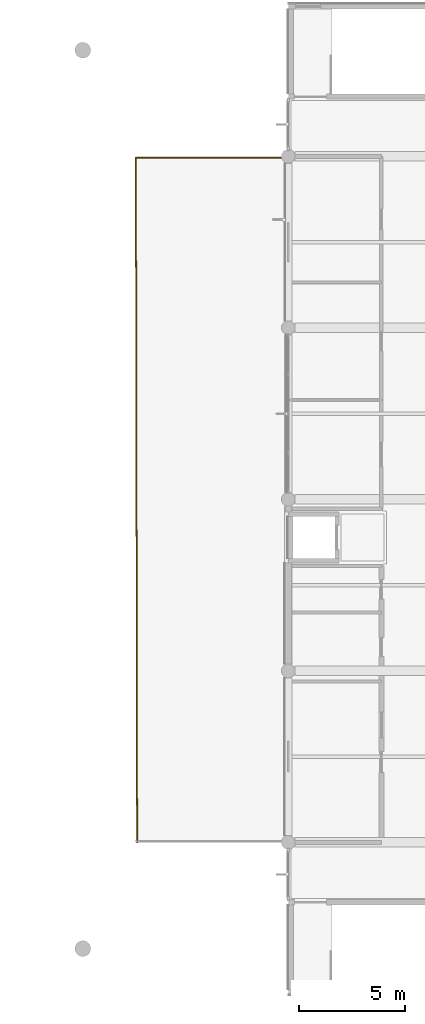
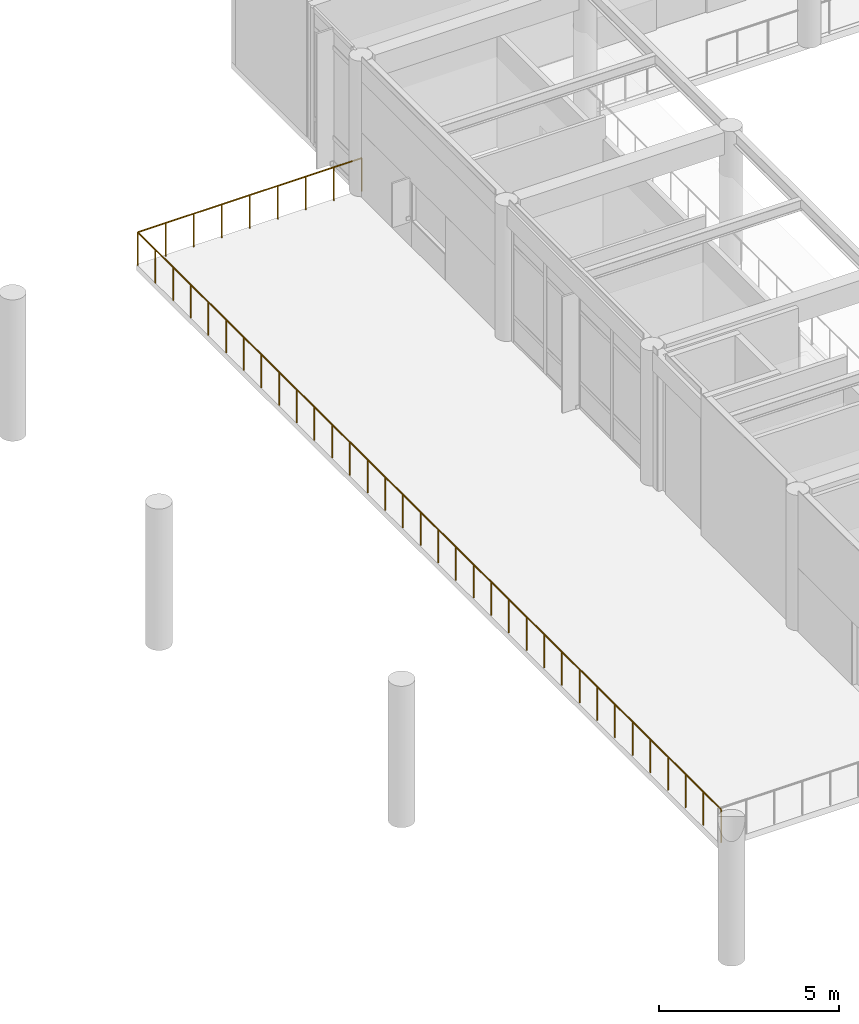
# One storey, part 68 of 92: 1 railing.
"""IFC4 building model written with IfcOpenShell, lengths in metres."""

import ifcopenshell
import ifcopenshell.guid

model = None  # the IFC model being written
_history = None  # IfcOwnerHistory: only IFC2X3 demands one
_inside = {}  # id of a spatial element -> (the spatial element, [elements in it])
_under = {}  # id of a project, library or spatial element -> (it, [spatial elements below it])
_declared = {}  # id of a project -> (the project, [libraries it declares])
_typed = {}  # id of a type object -> (the type object, [elements of that type])
_made_of = {}  # id of a material, layer set ... -> (it, [elements and type objects made of it])


def new_model(schema):
    """Start an empty IFC model of exactly this schema.

    Asked for "IFC4X3", IfcOpenShell would pick the latest addendum, in which some entities
    have other attributes; the version numbers below select the first issue.
    IFC2X3 requires an IfcOwnerHistory on every rooted entity: one is made here for all.
    """
    global model, _history
    if schema == "IFC4X3":
        model = ifcopenshell.file(schema_version=(4, 3, 0, 0))
    else:
        model = ifcopenshell.file(schema=schema)
    _inside.clear()
    _under.clear()
    _declared.clear()
    _typed.clear()
    _made_of.clear()
    _history = None
    if model.schema == "IFC2X3":
        org = make("IfcOrganization", Name="unknown")
        user = make(
            "IfcPersonAndOrganization",
            ThePerson=make("IfcPerson", FamilyName="unknown"),
            TheOrganization=org,
        )
        app = make(
            "IfcApplication",
            ApplicationDeveloper=org,
            Version="unknown",
            ApplicationFullName="unknown",
            ApplicationIdentifier="unknown",
        )
        _history = make(
            "IfcOwnerHistory",
            OwningUser=user,
            OwningApplication=app,
            ChangeAction="ADDED",
            CreationDate=0,
        )
    return model


def make(cls, **values):
    """One entity of the class cls with the attributes given. An attribute that is None is left unset."""
    return model.create_entity(
        cls, **{name: value for name, value in values.items() if value is not None}
    )


def rooted(cls, **values):
    """An entity with a GlobalId (a new one), such as an element, a storey or a relation."""
    return make(cls, GlobalId=ifcopenshell.guid.new(), OwnerHistory=_history, **values)


def si_unit(unit_type, name, prefix=None):
    """IfcSIUnit, for example si_unit("LENGTHUNIT", "METRE", prefix="MILLI")."""
    return make("IfcSIUnit", UnitType=unit_type, Prefix=prefix, Name=name)


def assignment(units):
    """IfcUnitAssignment: the units of a project."""
    return None if units is None else make("IfcUnitAssignment", Units=units)


def point(xyz):
    """IfcCartesianPoint."""
    return None if xyz is None else make("IfcCartesianPoint", Coordinates=xyz)


def direction(xyz):
    """IfcDirection."""
    return None if xyz is None else make("IfcDirection", DirectionRatios=xyz)


def frame(location, z_axis=None, x_axis=None):
    """IfcAxis2Placement3D, a coordinate frame: its origin and axes. An axis left out is left unset."""
    return make(
        "IfcAxis2Placement3D",
        Location=point(location),
        Axis=direction(z_axis),
        RefDirection=direction(x_axis),
    )


def frame_2d(location, x_axis=None):
    """IfcAxis2Placement2D, a coordinate frame in the plane: its origin and x axis."""
    return make(
        "IfcAxis2Placement2D", Location=point(location), RefDirection=direction(x_axis)
    )


def origin():
    """The frame at (0, 0, 0) with its axes left unset."""
    return frame((0.0, 0.0, 0.0))


def origin_2d():
    """The frame at (0, 0) in the plane with its x axis left unset."""
    return frame_2d((0.0, 0.0))


def place(relative_to, where):
    """IfcLocalPlacement: puts the frame where relative to a parent placement (None: the world)."""
    return make(
        "IfcLocalPlacement", PlacementRelTo=relative_to, RelativePlacement=where
    )


def context(
    kind, dimensions, precision=None, world=None, true_north=None, identifier=None
):
    """IfcGeometricRepresentationContext, for example the 3D "Model" context."""
    return make(
        "IfcGeometricRepresentationContext",
        ContextIdentifier=identifier,
        ContextType=kind,
        CoordinateSpaceDimension=dimensions,
        Precision=precision,
        WorldCoordinateSystem=world,
        TrueNorth=true_north,
    )


def subcontext(parent, identifier, kind, view, scale=None):
    """IfcGeometricRepresentationSubContext, for example "Body" below "Model"."""
    return make(
        "IfcGeometricRepresentationSubContext",
        ContextIdentifier=identifier,
        ContextType=kind,
        ParentContext=parent,
        TargetScale=scale,
        TargetView=view,
    )


def project(units=None, contexts=None):
    """IfcProject with its units and contexts."""
    return rooted(
        "IfcProject",
        Name="project",
        RepresentationContexts=contexts,
        UnitsInContext=assignment(units),
    )


def spatial(cls, under=None, at=None, **own):
    """A site, building, storey or space (cls), placed at a placement, below another one or the project."""
    s = rooted(cls, ObjectPlacement=at, **own)
    if under is not None:
        _under.setdefault(under.id(), (under, []))[1].append(s)
    return s


def profile(cls, at=None, kind="AREA", **sizes):
    """A parametric profile (cls). Its sizes go by their IFC names, for example OverallWidth=200.0."""
    return make(cls, ProfileType=kind, Position=at, **sizes)


def circle(**sizes):
    """IfcCircleProfileDef."""
    return profile("IfcCircleProfileDef", **sizes)


def extrude(swept, where, along, depth):
    """IfcExtrudedAreaSolid: the profile swept, set in the frame where, extruded along a direction by depth."""
    return make(
        "IfcExtrudedAreaSolid",
        SweptArea=swept,
        Position=where,
        ExtrudedDirection=direction(along),
        Depth=depth,
    )


def shape(context_of_items, identifier, shape_type, items):
    """IfcShapeRepresentation: the items that make up one representation, for example the "Body"."""
    return make(
        "IfcShapeRepresentation",
        ContextOfItems=context_of_items,
        RepresentationIdentifier=identifier,
        RepresentationType=shape_type,
        Items=items,
    )


def material(Name=None, Category=None):
    """IfcMaterial."""
    return make("IfcMaterial", Name=Name, Category=Category)


def made_of(thing, what):
    """Note that an element or type object is made of a material, layer set ...; save() writes the relation."""
    if what is not None:
        _made_of.setdefault(what.id(), (what, []))[1].append(thing)
    return thing


def type_object(cls, material=None, **own):
    """A type object (cls), such as IfcWallType, which elements share."""
    return made_of(rooted(cls, **own), material)


def element(
    cls,
    number,
    at=None,
    inside=None,
    cuts=None,
    type_object=None,
    material=None,
    context=None,
    identifier="Body",
    shape_type=None,
    held_by="IfcProductDefinitionShape",
    body=None,
    shapes=None,
    **own,
):
    """One element of the class cls, such as IfcWall. Its Tag is "e" and its number.

    at: its placement. inside: the storey or other place that contains it. cuts: it is an
    opening in that element (IfcRelVoidsElement). A single representation is given by context,
    identifier, shape_type and body (its items); several are given by shapes. held_by: the class
    of the entity that holds the representations. save() writes the other relations.
    """
    e = rooted(cls, Tag="e%d" % number, ObjectPlacement=at, **own)
    if body is not None:
        shapes = [shape(context, identifier, shape_type, body)]
    if shapes is not None:
        e.Representation = make(held_by, Representations=shapes)
    if inside is not None:
        _inside.setdefault(inside.id(), (inside, []))[1].append(e)
    if cuts is not None:
        rooted(
            "IfcRelVoidsElement", RelatingBuildingElement=cuts, RelatedOpeningElement=e
        )
    if type_object is not None:
        _typed.setdefault(type_object.id(), (type_object, []))[1].append(e)
    return made_of(e, material)


def aggregate(whole, parts):
    """IfcRelAggregates: a whole, such as a stair, and the parts it consists of."""
    return rooted("IfcRelAggregates", RelatingObject=whole, RelatedObjects=parts)


def save(model, path):
    """Write the relations noted so far, then the file.

    IfcRelAggregates (storeys below a building ...), IfcRelContainedInSpatialStructure (elements
    in a storey), IfcRelDefinesByType, IfcRelAssociatesMaterial and IfcRelDeclares: one each for
    every whole, place, type object, material and project.
    """
    for whole, parts in _under.values():
        aggregate(whole, parts)
    for where, things in _inside.values():
        rooted(
            "IfcRelContainedInSpatialStructure",
            RelatedElements=things,
            RelatingStructure=where,
        )
    for kind, things in _typed.values():
        rooted("IfcRelDefinesByType", RelatedObjects=things, RelatingType=kind)
    for what, things in _made_of.values():
        rooted("IfcRelAssociatesMaterial", RelatedObjects=things, RelatingMaterial=what)
    for by, libraries in _declared.values():
        rooted("IfcRelDeclares", RelatingContext=by, RelatedDefinitions=libraries)
    model.write(path)


model = new_model("IFC4")

# Units and contexts
model_context = context("Model", 3, precision=1e-05, world=origin(), true_north=direction((0.0, 1.0)))
body_context = subcontext(model_context, "Body", "Model", "MODEL_VIEW")
ifc_project = project(units=[si_unit("LENGTHUNIT", "METRE"), si_unit("AREAUNIT", "SQUARE_METRE"), si_unit("VOLUMEUNIT", "CUBIC_METRE"), si_unit("PLANEANGLEUNIT", "RADIAN"), si_unit("MASSUNIT", "GRAM", prefix="KILO")], contexts=[model_context])

# Site, building, storey
site_placement = place(None, origin())
site = spatial("IfcSite", under=ifc_project, at=site_placement, CompositionType="ELEMENT")
building_placement = place(site_placement, origin())
building = spatial("IfcBuilding", under=site, at=building_placement, Name="Namkhue Oval Health Centre", CompositionType="ELEMENT")
storey_placement = place(building_placement, frame((0.0, 0.0, 4.800048828125)))
storey = spatial("IfcBuildingStorey", under=building, at=storey_placement, Name="L01", CompositionType="ELEMENT", Elevation=4.800048828125)

# Railing
ifc_material = material(Name="Brushed stainless steel 316L balustrade with laminated glass infill", Category="steel")
railing_type = type_object("IfcRailingType", Name="EXTERIOR BALUSTRADE GUARD 1150", PredefinedType="BALUSTRADE", material=ifc_material)
railing_placement = place(storey_placement, frame((21.60009765625, 75.5400390625, 0.0)))
element("IfcRailing", 1, at=railing_placement, inside=storey, type_object=railing_type, Name="Volume V1 L01 Terrace Balustrade Guard 2", PredefinedType="BALUSTRADE", context=body_context, shape_type="SweptSolid", body=[
    extrude(circle(Radius=0.02392578125, at=origin_2d()), frame((0.0, 0.0, 1.1259765625), z_axis=(-1.0, 0.0, 0.0), x_axis=(0.0, -1.0, 0.0)), (0.0, 0.0, 1.0), 7.2001953125),
    extrude(circle(Radius=0.02392578125, at=origin_2d()), frame((-7.2001953125, 0.0, 1.1259765625), z_axis=(0.001857091124, -0.999998275605, 0.0), x_axis=(0.999998275605, 0.001857091124, 0.0)), (0.0, 0.0, 1.0), 32.340087890625),
    extrude(circle(Radius=0.02099609375, at=origin_2d()), origin(), (0.0, 0.0, 1.0), 1.101806640625),
    extrude(circle(Radius=0.02099609375, at=origin_2d()), frame((-0.89990234375, 0.0, 0.0)), (0.0, 0.0, 1.0), 1.101806640625),
    extrude(circle(Radius=0.02099609375, at=origin_2d()), frame((-1.800048828125, 0.0, 0.0)), (0.0, 0.0, 1.0), 1.101806640625),
    extrude(circle(Radius=0.02099609375, at=origin_2d()), frame((-2.7001953125, 0.0, 0.0)), (0.0, 0.0, 1.0), 1.101806640625),
    extrude(circle(Radius=0.02099609375, at=origin_2d()), frame((-3.60009765625, 0.0, 0.0)), (0.0, 0.0, 1.0), 1.101806640625),
    extrude(circle(Radius=0.02099609375, at=origin_2d()), frame((-4.5, 0.0, 0.0)), (0.0, 0.0, 1.0), 1.101806640625),
    extrude(circle(Radius=0.02099609375, at=origin_2d()), frame((-5.400146484375, 0.0, 0.0)), (0.0, 0.0, 1.0), 1.101806640625),
    extrude(circle(Radius=0.02099609375, at=origin_2d()), frame((-6.30029296875, 0.0, 0.0)), (0.0, 0.0, 1.0), 1.101806640625),
    extrude(circle(Radius=0.02099609375, at=origin_2d()), frame((-7.2001953125, 0.0, 0.0)), (0.0, 0.0, 1.0), 1.101806640625),
    extrude(circle(Radius=0.02099609375, at=origin_2d()), frame((-7.198486328125, -0.97998046875, 0.0)), (0.0, 0.0, 1.0), 1.101806640625),
    extrude(circle(Radius=0.02099609375, at=origin_2d()), frame((-7.196533203125, -1.9599609375, 0.0)), (0.0, 0.0, 1.0), 1.101806640625),
    extrude(circle(Radius=0.02099609375, at=origin_2d()), frame((-7.19482421875, -2.93994140625, 0.0)), (0.0, 0.0, 1.0), 1.101806640625),
    extrude(circle(Radius=0.02099609375, at=origin_2d()), frame((-7.19287109375, -3.919921875, 0.0)), (0.0, 0.0, 1.0), 1.101806640625),
    extrude(circle(Radius=0.02099609375, at=origin_2d()), frame((-7.191162109375, -4.89990234375, 0.0)), (0.0, 0.0, 1.0), 1.101806640625),
    extrude(circle(Radius=0.02099609375, at=origin_2d()), frame((-7.189208984375, -5.880126953125, 0.0)), (0.0, 0.0, 1.0), 1.101806640625),
    extrude(circle(Radius=0.02099609375, at=origin_2d()), frame((-7.1875, -6.860107421875, 0.0)), (0.0, 0.0, 1.0), 1.101806640625),
    extrude(circle(Radius=0.02099609375, at=origin_2d()), frame((-7.185546875, -7.840087890625, 0.0)), (0.0, 0.0, 1.0), 1.101806640625),
    extrude(circle(Radius=0.02099609375, at=origin_2d()), frame((-7.183837890625, -8.820068359375, 0.0)), (0.0, 0.0, 1.0), 1.101806640625),
    extrude(circle(Radius=0.02099609375, at=origin_2d()), frame((-7.181884765625, -9.800048828125, 0.0)), (0.0, 0.0, 1.0), 1.101806640625),
    extrude(circle(Radius=0.02099609375, at=origin_2d()), frame((-7.18017578125, -10.780029296875, 0.0)), (0.0, 0.0, 1.0), 1.101806640625),
    extrude(circle(Radius=0.02099609375, at=origin_2d()), frame((-7.178466796875, -11.760009765625, 0.0)), (0.0, 0.0, 1.0), 1.101806640625),
    extrude(circle(Radius=0.02099609375, at=origin_2d()), frame((-7.176513671875, -12.739990234375, 0.0)), (0.0, 0.0, 1.0), 1.101806640625),
    extrude(circle(Radius=0.02099609375, at=origin_2d()), frame((-7.1748046875, -13.719970703125, 0.0)), (0.0, 0.0, 1.0), 1.101806640625),
    extrude(circle(Radius=0.02099609375, at=origin_2d()), frame((-7.1728515625, -14.699951171875, 0.0)), (0.0, 0.0, 1.0), 1.101806640625),
    extrude(circle(Radius=0.02099609375, at=origin_2d()), frame((-7.171142578125, -15.679931640625, 0.0)), (0.0, 0.0, 1.0), 1.101806640625),
    extrude(circle(Radius=0.02099609375, at=origin_2d()), frame((-7.169189453125, -16.66015625, 0.0)), (0.0, 0.0, 1.0), 1.101806640625),
    extrude(circle(Radius=0.02099609375, at=origin_2d()), frame((-7.16748046875, -17.64013671875, 0.0)), (0.0, 0.0, 1.0), 1.101806640625),
    extrude(circle(Radius=0.02099609375, at=origin_2d()), frame((-7.16552734375, -18.6201171875, 0.0)), (0.0, 0.0, 1.0), 1.101806640625),
    extrude(circle(Radius=0.02099609375, at=origin_2d()), frame((-7.163818359375, -19.60009765625, 0.0)), (0.0, 0.0, 1.0), 1.101806640625),
    extrude(circle(Radius=0.02099609375, at=origin_2d()), frame((-7.161865234375, -20.580078125, 0.0)), (0.0, 0.0, 1.0), 1.101806640625),
    extrude(circle(Radius=0.02099609375, at=origin_2d()), frame((-7.16015625, -21.56005859375, 0.0)), (0.0, 0.0, 1.0), 1.101806640625),
    extrude(circle(Radius=0.02099609375, at=origin_2d()), frame((-7.158447265625, -22.5400390625, 0.0)), (0.0, 0.0, 1.0), 1.101806640625),
    extrude(circle(Radius=0.02099609375, at=origin_2d()), frame((-7.156494140625, -23.52001953125, 0.0)), (0.0, 0.0, 1.0), 1.101806640625),
    extrude(circle(Radius=0.02099609375, at=origin_2d()), frame((-7.15478515625, -24.5, 0.0)), (0.0, 0.0, 1.0), 1.101806640625),
    extrude(circle(Radius=0.02099609375, at=origin_2d()), frame((-7.15283203125, -25.47998046875, 0.0)), (0.0, 0.0, 1.0), 1.101806640625),
    extrude(circle(Radius=0.02099609375, at=origin_2d()), frame((-7.151123046875, -26.4599609375, 0.0)), (0.0, 0.0, 1.0), 1.101806640625),
    extrude(circle(Radius=0.02099609375, at=origin_2d()), frame((-7.149169921875, -27.440185546875, 0.0)), (0.0, 0.0, 1.0), 1.101806640625),
    extrude(circle(Radius=0.02099609375, at=origin_2d()), frame((-7.1474609375, -28.420166015625, 0.0)), (0.0, 0.0, 1.0), 1.101806640625),
    extrude(circle(Radius=0.02099609375, at=origin_2d()), frame((-7.1455078125, -29.400146484375, 0.0)), (0.0, 0.0, 1.0), 1.101806640625),
    extrude(circle(Radius=0.02099609375, at=origin_2d()), frame((-7.143798828125, -30.380126953125, 0.0)), (0.0, 0.0, 1.0), 1.101806640625),
    extrude(circle(Radius=0.02099609375, at=origin_2d()), frame((-7.141845703125, -31.360107421875, 0.0)), (0.0, 0.0, 1.0), 1.101806640625),
    extrude(circle(Radius=0.02099609375, at=origin_2d()), frame((-7.14013671875, -32.340087890625, 0.0)), (0.0, 0.0, 1.0), 1.101806640625),
])

save(model, "model.ifc")
